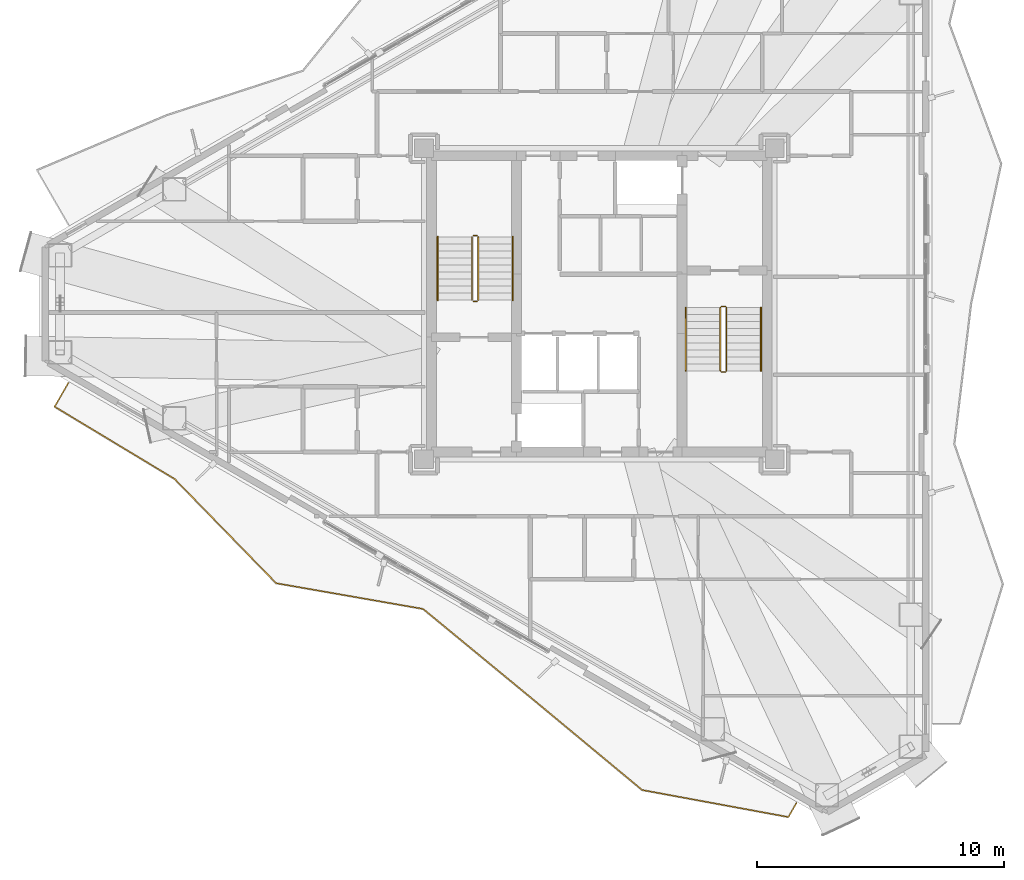
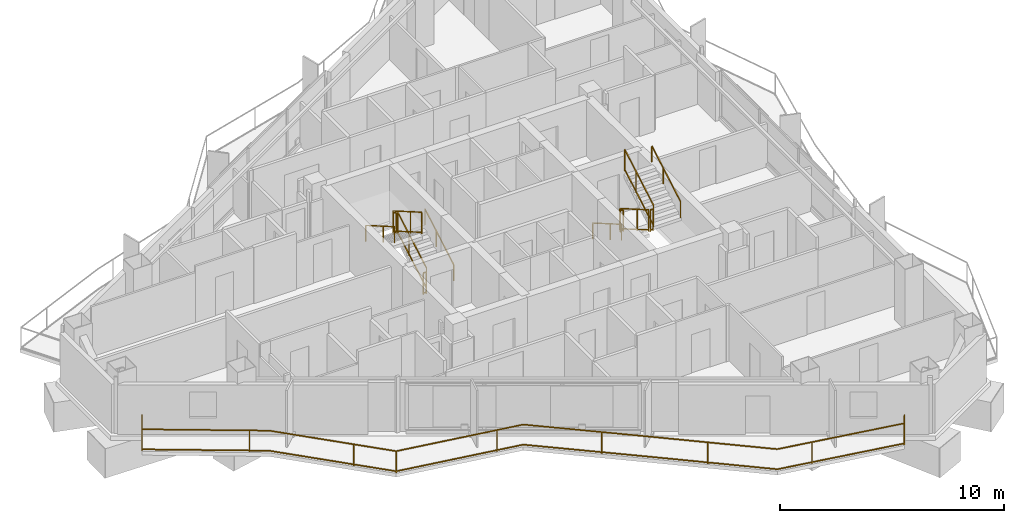
# One storey, part 20 of 21: 13 railings.
"""IFC4 building model written with IfcOpenShell, lengths in metres."""

from ifc_helpers import new_model, si_unit, direction, frame, origin, origin_2d, place, context, subcontext, project, spatial, rectangle, extrude, material, type_object, element, save


model = new_model("IFC4")

# Units and contexts
model_context = context("Model", 3, precision=1e-05, world=origin(), true_north=direction((0.0, 1.0)))
body_context = subcontext(model_context, "Body", "Model", "MODEL_VIEW")
ifc_project = project(units=[si_unit("LENGTHUNIT", "METRE"), si_unit("AREAUNIT", "SQUARE_METRE"), si_unit("VOLUMEUNIT", "CUBIC_METRE"), si_unit("PLANEANGLEUNIT", "RADIAN"), si_unit("MASSUNIT", "GRAM", prefix="KILO")], contexts=[model_context])

# Site, building, storey
site_placement = place(None, origin())
site = spatial("IfcSite", under=ifc_project, at=site_placement, CompositionType="ELEMENT")
building_placement = place(site_placement, origin())
building = spatial("IfcBuilding", under=site, at=building_placement, Name="Mersakhor Tower and Convention Hall", CompositionType="ELEMENT")
storey_placement = place(building_placement, frame((0.0, 0.0, 121.199951171875)))
storey = spatial("IfcBuildingStorey", under=building, at=storey_placement, Name="L33", CompositionType="ELEMENT", Elevation=121.199951171875)

# Railings
ifc_material_1 = material(Name="Powder-coated galvanised steel and laminated glass balustrade", Category="steel")
railing_type_1 = type_object("IfcRailingType", Name="RL-BAL-1200", PredefinedType="BALUSTRADE", material=ifc_material_1)
railing_1_placement = place(storey_placement, frame((7.497802734375, 23.5537109375, 0.0)))
element("IfcRailing", 1, at=railing_1_placement, inside=storey, type_object=railing_type_1, Name="L33 Sinusoidal Balcony Balustrade F3", PredefinedType="BALUSTRADE", context=body_context, shape_type="SweptSolid", body=[
    extrude(rectangle(XDim=0.048095703125, YDim=0.048095703125, at=origin_2d()), frame((0.0, 0.0, 1.17578125), z_axis=(-0.499956354932, -0.86605060081, 0.0), x_axis=(0.86605060081, -0.499956354932, 0.0)), (0.0, 0.0, 1.0), 1.1142578125),
    extrude(rectangle(XDim=0.048095703125, YDim=0.048095703125, at=origin_2d()), frame((0.0, 0.0, 0.080078125), z_axis=(-0.499956354932, -0.86605060081, 0.0), x_axis=(0.86605060081, -0.499956354932, 0.0)), (0.0, 0.0, 1.0), 1.1142578125),
    extrude(rectangle(XDim=0.048095703125, YDim=0.048095703125, at=origin_2d()), frame((-0.55712890625, -0.965087890625, 1.17578125), z_axis=(0.856565393942, -0.516038492654, 0.0), x_axis=(0.516038492654, 0.856565393942, 0.0)), (0.0, 0.0, 1.0), 5.67529296875),
    extrude(rectangle(XDim=0.048095703125, YDim=0.048095703125, at=origin_2d()), frame((-0.55712890625, -0.965087890625, 0.080078125), z_axis=(0.856565393942, -0.516038492654, 0.0), x_axis=(0.516038492654, 0.856565393942, 0.0)), (0.0, 0.0, 1.0), 5.67529296875),
    extrude(rectangle(XDim=0.048095703125, YDim=0.048095703125, at=origin_2d()), frame((4.30419921875, -3.893798828125, 1.17578125), z_axis=(0.697833134892, -0.716260368753, 0.0), x_axis=(0.716260368753, 0.697833134892, 0.0)), (0.0, 0.0, 1.0), 5.895751953125),
    extrude(rectangle(XDim=0.048095703125, YDim=0.048095703125, at=origin_2d()), frame((4.30419921875, -3.893798828125, 0.080078125), z_axis=(0.697833134892, -0.716260368753, 0.0), x_axis=(0.716260368753, 0.697833134892, 0.0)), (0.0, 0.0, 1.0), 5.895751953125),
    extrude(rectangle(XDim=0.048095703125, YDim=0.048095703125, at=origin_2d()), frame((8.41845703125, -8.11669921875, 1.17578125), z_axis=(0.985019829062, -0.172441109814, 0.0), x_axis=(0.172441109814, 0.985019829062, 0.0)), (0.0, 0.0, 1.0), 6.041259765625),
    extrude(rectangle(XDim=0.048095703125, YDim=0.048095703125, at=origin_2d()), frame((8.41845703125, -8.11669921875, 0.080078125), z_axis=(0.985019829062, -0.172441109814, 0.0), x_axis=(0.172441109814, 0.985019829062, 0.0)), (0.0, 0.0, 1.0), 6.041259765625),
    extrude(rectangle(XDim=0.048095703125, YDim=0.048095703125, at=origin_2d()), frame((14.369140625, -9.158447265625, 1.17578125), z_axis=(0.77204782619, -0.635564437391, 0.0), x_axis=(0.635564437391, 0.77204782619, 0.0)), (0.0, 0.0, 1.0), 5.752685546875),
    extrude(rectangle(XDim=0.048095703125, YDim=0.048095703125, at=origin_2d()), frame((14.369140625, -9.158447265625, 0.080078125), z_axis=(0.77204782619, -0.635564437391, 0.0), x_axis=(0.635564437391, 0.77204782619, 0.0)), (0.0, 0.0, 1.0), 5.752685546875),
    extrude(rectangle(XDim=0.048095703125, YDim=0.048095703125, at=origin_2d()), frame((18.810546875, -12.814697265625, 1.17578125), z_axis=(0.769433086059, -0.638727427059, 0.0), x_axis=(0.638727427059, 0.769433086059, 0.0)), (0.0, 0.0, 1.0), 5.7568359375),
    extrude(rectangle(XDim=0.048095703125, YDim=0.048095703125, at=origin_2d()), frame((18.810546875, -12.814697265625, 0.080078125), z_axis=(0.769433086059, -0.638727427059, 0.0), x_axis=(0.638727427059, 0.769433086059, 0.0)), (0.0, 0.0, 1.0), 5.7568359375),
    extrude(rectangle(XDim=0.048095703125, YDim=0.048095703125, at=origin_2d()), frame((23.239990234375, -16.49169921875, 1.17578125), z_axis=(0.983338158123, -0.181785771665, 0.0), x_axis=(0.181785771665, 0.983338158123, 0.0)), (0.0, 0.0, 1.0), 6.020751953125),
    extrude(rectangle(XDim=0.048095703125, YDim=0.048095703125, at=origin_2d()), frame((23.239990234375, -16.49169921875, 0.080078125), z_axis=(0.983338158123, -0.181785771665, 0.0), x_axis=(0.181785771665, 0.983338158123, 0.0)), (0.0, 0.0, 1.0), 6.020751953125),
    extrude(rectangle(XDim=0.048095703125, YDim=0.048095703125, at=origin_2d()), frame((29.160400390625, -17.586181640625, 1.17578125), z_axis=(0.49989585183, 0.866085525409, 0.0), x_axis=(-0.866085525409, 0.49989585183, 0.0)), (0.0, 0.0, 1.0), 0.650146484375),
    extrude(rectangle(XDim=0.048095703125, YDim=0.048095703125, at=origin_2d()), frame((29.160400390625, -17.586181640625, 0.080078125), z_axis=(0.49989585183, 0.866085525409, 0.0), x_axis=(-0.866085525409, 0.49989585183, 0.0)), (0.0, 0.0, 1.0), 0.650146484375),
    extrude(rectangle(XDim=0.0419921875, YDim=0.0419921875, at=origin_2d()), origin(), (0.0, 0.0, 1.0), 1.15185546875),
    extrude(rectangle(XDim=0.0419921875, YDim=0.0419921875, at=origin_2d()), frame((-0.55712890625, -0.965087890625, 0.0)), (0.0, 0.0, 1.0), 1.15185546875),
    extrude(rectangle(XDim=0.0419921875, YDim=0.0419921875, at=origin_2d()), frame((3.554443359375, -3.442138671875, 0.0)), (0.0, 0.0, 1.0), 1.15185546875),
    extrude(rectangle(XDim=0.0419921875, YDim=0.0419921875, at=origin_2d()), frame((7.04296875, -6.704833984375, 0.0)), (0.0, 0.0, 1.0), 1.15185546875),
    extrude(rectangle(XDim=0.0419921875, YDim=0.0419921875, at=origin_2d()), frame((8.41845703125, -8.11669921875, 0.0)), (0.0, 0.0, 1.0), 1.15185546875),
    extrude(rectangle(XDim=0.0419921875, YDim=0.0419921875, at=origin_2d()), frame((13.146484375, -8.9443359375, 0.0)), (0.0, 0.0, 1.0), 1.15185546875),
    extrude(rectangle(XDim=0.0419921875, YDim=0.0419921875, at=origin_2d()), frame((17.11669921875, -11.42041015625, 0.0)), (0.0, 0.0, 1.0), 1.15185546875),
    extrude(rectangle(XDim=0.0419921875, YDim=0.0419921875, at=origin_2d()), frame((20.815673828125, -14.479248046875, 0.0)), (0.0, 0.0, 1.0), 1.15185546875),
    extrude(rectangle(XDim=0.0419921875, YDim=0.0419921875, at=origin_2d()), frame((24.86181640625, -16.79150390625, 0.0)), (0.0, 0.0, 1.0), 1.15185546875),
    extrude(rectangle(XDim=0.0419921875, YDim=0.0419921875, at=origin_2d()), frame((29.160400390625, -17.586181640625, 0.0)), (0.0, 0.0, 1.0), 1.15185546875),
    extrude(rectangle(XDim=0.0419921875, YDim=0.0419921875, at=origin_2d()), frame((29.4853515625, -17.023193359375, 0.0)), (0.0, 0.0, 1.0), 1.15185546875),
])
ifc_material_2 = material(Name="Brushed stainless steel handrail", Category="steel")
railing_type_2 = type_object("IfcRailingType", Name="RL-HR-900", PredefinedType="HANDRAIL", material=ifc_material_2)
railing_2_placement = place(storey_placement, frame((25.5, 26.89990234375, 0.1650390625)))
element("IfcRailing", 2, at=railing_2_placement, inside=storey, type_object=railing_type_2, Name="L33 ST-1 stair handrail 1", PredefinedType="HANDRAIL", context=body_context, shape_type="SweptSolid", body=[
    extrude(rectangle(XDim=0.048095703125, YDim=0.048095703125, at=origin_2d()), frame((0.0, 0.0, 0.8759765625), z_axis=(0.0, 0.865426285481, 0.501036270542), x_axis=(-1.0, 0.0, 0.0)), (0.0, 0.0, 1.0), 2.964111328125),
    extrude(rectangle(XDim=0.0419921875, YDim=0.0419921875, at=origin_2d()), origin(), (0.0, 0.0, 1.0), 0.851806640625),
    extrude(rectangle(XDim=0.0419921875, YDim=0.0419921875, at=origin_2d()), frame((0.0, 1.557861328125, 0.90185546875)), (0.0, 0.0, 1.0), 0.851806640625),
    extrude(rectangle(XDim=0.0419921875, YDim=0.0419921875, at=origin_2d()), frame((0.0, 2.565185546875, 1.485107421875)), (0.0, 0.0, 1.0), 0.851806640625),
])
for number, where, name in (
    (3, (22.449951171875, 29.465087890625, 1.81494140625), "L33 ST-1 stair handrail 2"),
    (4, (32.5, 26.60009765625, 0.1650390625), "L33 ST-2 stair handrail 1"),
):
    element("IfcRailing", number, at=place(storey_placement, frame(where)), inside=storey, type_object=railing_type_2, Name=name, PredefinedType="HANDRAIL", context=body_context, shape_type="SweptSolid", body=[
        extrude(rectangle(XDim=0.048095703125, YDim=0.048095703125, at=origin_2d()), frame((0.0, 0.0, 0.8759765625), z_axis=(0.0, -0.865426285481, 0.501036270542), x_axis=(1.0, 0.0, 0.0)), (0.0, 0.0, 1.0), 2.964111328125),
        extrude(rectangle(XDim=0.0419921875, YDim=0.0419921875, at=origin_2d()), origin(), (0.0, 0.0, 1.0), 0.851806640625),
        extrude(rectangle(XDim=0.0419921875, YDim=0.0419921875, at=origin_2d()), frame((0.0, -1.557861328125, 0.90185546875)), (0.0, 0.0, 1.0), 0.851806640625),
        extrude(rectangle(XDim=0.0419921875, YDim=0.0419921875, at=origin_2d()), frame((0.0, -2.565185546875, 1.485107421875)), (0.0, 0.0, 1.0), 0.851806640625),
    ])
railing_3_placement = place(storey_placement, frame((35.550048828125, 24.034912109375, 1.81494140625)))
element("IfcRailing", 5, at=railing_3_placement, inside=storey, type_object=railing_type_2, Name="L33 ST-2 stair handrail 2", PredefinedType="HANDRAIL", context=body_context, shape_type="SweptSolid", body=[
    extrude(rectangle(XDim=0.048095703125, YDim=0.048095703125, at=origin_2d()), frame((0.0, 0.0, 0.8759765625), z_axis=(0.0, 0.865426285481, 0.501036270542), x_axis=(-1.0, 0.0, 0.0)), (0.0, 0.0, 1.0), 2.964111328125),
    extrude(rectangle(XDim=0.0419921875, YDim=0.0419921875, at=origin_2d()), origin(), (0.0, 0.0, 1.0), 0.851806640625),
    extrude(rectangle(XDim=0.0419921875, YDim=0.0419921875, at=origin_2d()), frame((0.0, 1.557861328125, 0.90185546875)), (0.0, 0.0, 1.0), 0.851806640625),
    extrude(rectangle(XDim=0.0419921875, YDim=0.0419921875, at=origin_2d()), frame((0.0, 2.565185546875, 1.485107421875)), (0.0, 0.0, 1.0), 0.851806640625),
])
ifc_material_3 = material(Name="Painted steel stair balustrade S355", Category="steel")
railing_type_3 = type_object("IfcRailingType", Name="RL-STG-1200", PredefinedType="BALUSTRADE", material=ifc_material_3)
railing_4_placement = place(storey_placement, frame((24.10009765625, 26.89990234375, 0.1650390625)))
element("IfcRailing", 6, at=railing_4_placement, inside=storey, type_object=railing_type_3, Name="L33 ST-1 stair guard 1", PredefinedType="BALUSTRADE", context=body_context, shape_type="SweptSolid", body=[
    extrude(rectangle(XDim=0.048095703125, YDim=0.048095703125, at=origin_2d()), frame((0.0, 0.0, 1.17578125), z_axis=(0.0, 0.865426285481, 0.501036270542), x_axis=(-1.0, 0.0, 0.0)), (0.0, 0.0, 1.0), 2.964111328125),
    extrude(rectangle(XDim=0.048095703125, YDim=0.048095703125, at=origin_2d()), frame((0.0, 0.0, 0.080078125), z_axis=(0.0, 0.865426285481, 0.501036270542), x_axis=(-1.0, 0.0, 0.0)), (0.0, 0.0, 1.0), 2.964111328125),
    extrude(rectangle(XDim=0.0419921875, YDim=0.0419921875, at=origin_2d()), origin(), (0.0, 0.0, 1.0), 1.15185546875),
    extrude(rectangle(XDim=0.0419921875, YDim=0.0419921875, at=origin_2d()), frame((0.0, 1.557861328125, 0.90185546875)), (0.0, 0.0, 1.0), 1.15185546875),
    extrude(rectangle(XDim=0.0419921875, YDim=0.0419921875, at=origin_2d()), frame((0.0, 2.565185546875, 1.485107421875)), (0.0, 0.0, 1.0), 1.15185546875),
])
railing_5_placement = place(storey_placement, frame((24.050048828125, 29.514892578125, 1.650146484375)))
element("IfcRailing", 7, at=railing_5_placement, inside=storey, type_object=railing_type_3, Name="L33 ST-1 stair guard 2", PredefinedType="BALUSTRADE", context=body_context, shape_type="SweptSolid", body=[
    extrude(rectangle(XDim=0.048095703125, YDim=0.048095703125, at=origin_2d()), frame((0.0, 0.0, 1.17578125), z_axis=(-1.0, 0.0, 0.0), x_axis=(0.0, -1.0, 0.0)), (0.0, 0.0, 1.0), 0.150146484375),
    extrude(rectangle(XDim=0.048095703125, YDim=0.048095703125, at=origin_2d()), frame((0.0, 0.0, 0.080078125), z_axis=(-1.0, 0.0, 0.0), x_axis=(0.0, -1.0, 0.0)), (0.0, 0.0, 1.0), 0.150146484375),
    extrude(rectangle(XDim=0.0419921875, YDim=0.0419921875, at=origin_2d()), origin(), (0.0, 0.0, 1.0), 1.15185546875),
    extrude(rectangle(XDim=0.0419921875, YDim=0.0419921875, at=origin_2d()), frame((-0.150146484375, 0.0, 0.0)), (0.0, 0.0, 1.0), 1.15185546875),
])
railing_6_placement = place(storey_placement, frame((23.85009765625, 29.465087890625, 1.81494140625)))
element("IfcRailing", 8, at=railing_6_placement, inside=storey, type_object=railing_type_3, Name="L33 ST-1 stair guard 3", PredefinedType="BALUSTRADE", context=body_context, shape_type="SweptSolid", body=[
    extrude(rectangle(XDim=0.048095703125, YDim=0.048095703125, at=origin_2d()), frame((0.0, 0.0, 1.17578125), z_axis=(0.0, -0.865426285481, 0.501036270542), x_axis=(1.0, 0.0, 0.0)), (0.0, 0.0, 1.0), 2.964111328125),
    extrude(rectangle(XDim=0.048095703125, YDim=0.048095703125, at=origin_2d()), frame((0.0, 0.0, 0.080078125), z_axis=(0.0, -0.865426285481, 0.501036270542), x_axis=(1.0, 0.0, 0.0)), (0.0, 0.0, 1.0), 2.964111328125),
    extrude(rectangle(XDim=0.0419921875, YDim=0.0419921875, at=origin_2d()), origin(), (0.0, 0.0, 1.0), 1.15185546875),
    extrude(rectangle(XDim=0.0419921875, YDim=0.0419921875, at=origin_2d()), frame((0.0, -1.557861328125, 0.90185546875)), (0.0, 0.0, 1.0), 1.15185546875),
    extrude(rectangle(XDim=0.0419921875, YDim=0.0419921875, at=origin_2d()), frame((0.0, -2.565185546875, 1.485107421875)), (0.0, 0.0, 1.0), 1.15185546875),
])
railing_7_placement = place(storey_placement, frame((24.050048828125, 26.85009765625, 0.0)))
element("IfcRailing", 9, at=railing_7_placement, inside=storey, type_object=railing_type_3, Name="L33 ST-1 stair guard 4", PredefinedType="BALUSTRADE", context=body_context, shape_type="SweptSolid", body=[
    extrude(rectangle(XDim=0.048095703125, YDim=0.048095703125, at=origin_2d()), frame((0.0, 0.0, 1.17578125), z_axis=(-1.0, 0.0, 0.0), x_axis=(0.0, -1.0, 0.0)), (0.0, 0.0, 1.0), 0.150146484375),
    extrude(rectangle(XDim=0.048095703125, YDim=0.048095703125, at=origin_2d()), frame((0.0, 0.0, 0.080078125), z_axis=(-1.0, 0.0, 0.0), x_axis=(0.0, -1.0, 0.0)), (0.0, 0.0, 1.0), 0.150146484375),
    extrude(rectangle(XDim=0.0419921875, YDim=0.0419921875, at=origin_2d()), origin(), (0.0, 0.0, 1.0), 1.15185546875),
    extrude(rectangle(XDim=0.0419921875, YDim=0.0419921875, at=origin_2d()), frame((-0.150146484375, 0.0, 0.0)), (0.0, 0.0, 1.0), 1.15185546875),
])
railing_8_placement = place(storey_placement, frame((33.89990234375, 26.60009765625, 0.1650390625)))
element("IfcRailing", 10, at=railing_8_placement, inside=storey, type_object=railing_type_3, Name="L33 ST-2 stair guard 1", PredefinedType="BALUSTRADE", context=body_context, shape_type="SweptSolid", body=[
    extrude(rectangle(XDim=0.048095703125, YDim=0.048095703125, at=origin_2d()), frame((0.0, 0.0, 1.17578125), z_axis=(0.0, -0.865426285481, 0.501036270542), x_axis=(1.0, 0.0, 0.0)), (0.0, 0.0, 1.0), 2.964111328125),
    extrude(rectangle(XDim=0.048095703125, YDim=0.048095703125, at=origin_2d()), frame((0.0, 0.0, 0.080078125), z_axis=(0.0, -0.865426285481, 0.501036270542), x_axis=(1.0, 0.0, 0.0)), (0.0, 0.0, 1.0), 2.964111328125),
    extrude(rectangle(XDim=0.0419921875, YDim=0.0419921875, at=origin_2d()), origin(), (0.0, 0.0, 1.0), 1.15185546875),
    extrude(rectangle(XDim=0.0419921875, YDim=0.0419921875, at=origin_2d()), frame((0.0, -1.557861328125, 0.90185546875)), (0.0, 0.0, 1.0), 1.15185546875),
    extrude(rectangle(XDim=0.0419921875, YDim=0.0419921875, at=origin_2d()), frame((0.0, -2.565185546875, 1.485107421875)), (0.0, 0.0, 1.0), 1.15185546875),
])
railing_9_placement = place(storey_placement, frame((33.949951171875, 23.985107421875, 1.650146484375)))
element("IfcRailing", 11, at=railing_9_placement, inside=storey, type_object=railing_type_3, Name="L33 ST-2 stair guard 2", PredefinedType="BALUSTRADE", context=body_context, shape_type="SweptSolid", body=[
    extrude(rectangle(XDim=0.048095703125, YDim=0.048095703125, at=origin_2d()), frame((0.0, 0.0, 1.17578125), z_axis=(1.0, 0.0, 0.0), x_axis=(0.0, 1.0, 0.0)), (0.0, 0.0, 1.0), 0.150146484375),
    extrude(rectangle(XDim=0.048095703125, YDim=0.048095703125, at=origin_2d()), frame((0.0, 0.0, 0.080078125), z_axis=(1.0, 0.0, 0.0), x_axis=(0.0, 1.0, 0.0)), (0.0, 0.0, 1.0), 0.150146484375),
    extrude(rectangle(XDim=0.0419921875, YDim=0.0419921875, at=origin_2d()), origin(), (0.0, 0.0, 1.0), 1.15185546875),
    extrude(rectangle(XDim=0.0419921875, YDim=0.0419921875, at=origin_2d()), frame((0.150146484375, 0.0, 0.0)), (0.0, 0.0, 1.0), 1.15185546875),
])
railing_10_placement = place(storey_placement, frame((34.14990234375, 24.034912109375, 1.81494140625)))
element("IfcRailing", 12, at=railing_10_placement, inside=storey, type_object=railing_type_3, Name="L33 ST-2 stair guard 3", PredefinedType="BALUSTRADE", context=body_context, shape_type="SweptSolid", body=[
    extrude(rectangle(XDim=0.048095703125, YDim=0.048095703125, at=origin_2d()), frame((0.0, 0.0, 1.17578125), z_axis=(0.0, 0.865426285481, 0.501036270542), x_axis=(-1.0, 0.0, 0.0)), (0.0, 0.0, 1.0), 2.964111328125),
    extrude(rectangle(XDim=0.048095703125, YDim=0.048095703125, at=origin_2d()), frame((0.0, 0.0, 0.080078125), z_axis=(0.0, 0.865426285481, 0.501036270542), x_axis=(-1.0, 0.0, 0.0)), (0.0, 0.0, 1.0), 2.964111328125),
    extrude(rectangle(XDim=0.0419921875, YDim=0.0419921875, at=origin_2d()), origin(), (0.0, 0.0, 1.0), 1.15185546875),
    extrude(rectangle(XDim=0.0419921875, YDim=0.0419921875, at=origin_2d()), frame((0.0, 1.557861328125, 0.90185546875)), (0.0, 0.0, 1.0), 1.15185546875),
    extrude(rectangle(XDim=0.0419921875, YDim=0.0419921875, at=origin_2d()), frame((0.0, 2.565185546875, 1.485107421875)), (0.0, 0.0, 1.0), 1.15185546875),
])
railing_11_placement = place(storey_placement, frame((33.949951171875, 26.64990234375, 0.0)))
element("IfcRailing", 13, at=railing_11_placement, inside=storey, type_object=railing_type_3, Name="L33 ST-2 stair guard 4", PredefinedType="BALUSTRADE", context=body_context, shape_type="SweptSolid", body=[
    extrude(rectangle(XDim=0.048095703125, YDim=0.048095703125, at=origin_2d()), frame((0.0, 0.0, 1.17578125), z_axis=(1.0, 0.0, 0.0), x_axis=(0.0, 1.0, 0.0)), (0.0, 0.0, 1.0), 0.150146484375),
    extrude(rectangle(XDim=0.048095703125, YDim=0.048095703125, at=origin_2d()), frame((0.0, 0.0, 0.080078125), z_axis=(1.0, 0.0, 0.0), x_axis=(0.0, 1.0, 0.0)), (0.0, 0.0, 1.0), 0.150146484375),
    extrude(rectangle(XDim=0.0419921875, YDim=0.0419921875, at=origin_2d()), origin(), (0.0, 0.0, 1.0), 1.15185546875),
    extrude(rectangle(XDim=0.0419921875, YDim=0.0419921875, at=origin_2d()), frame((0.150146484375, 0.0, 0.0)), (0.0, 0.0, 1.0), 1.15185546875),
])

save(model, "model.ifc")
